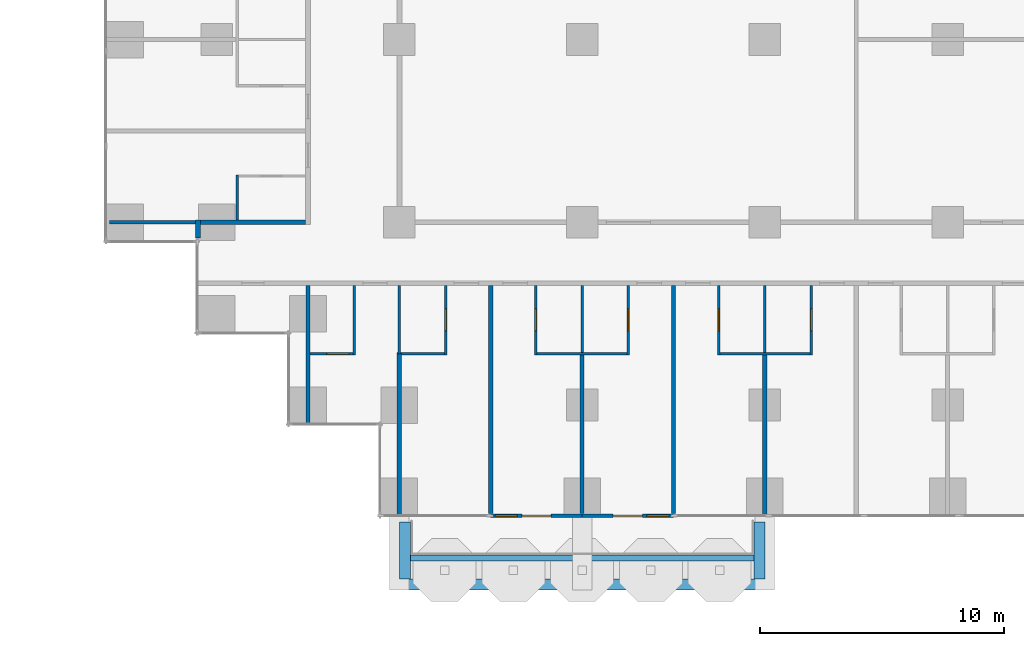
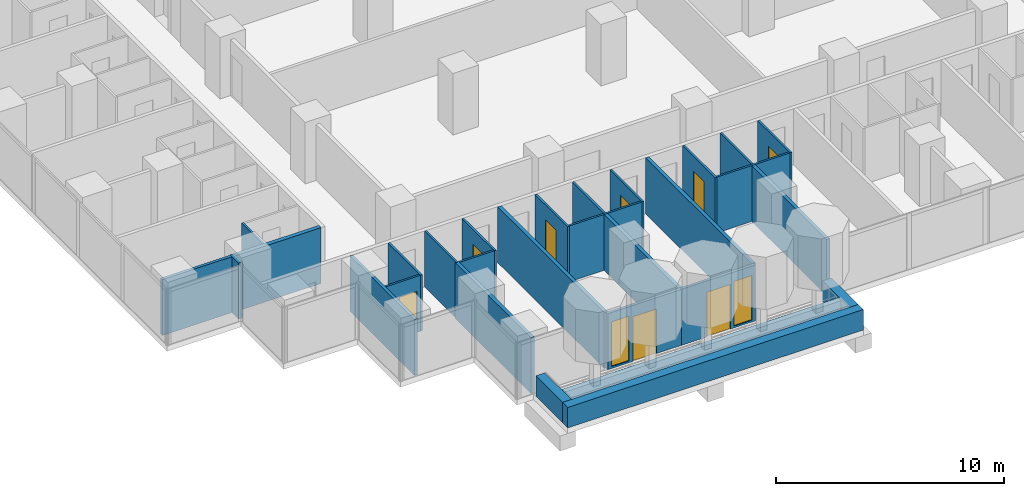
# One storey, part 10 of 19: 29 walls, 8 doors, 2 windows, 10 openings.
"""IFC4 building model written with IfcOpenShell, lengths in metres."""

from ifc_helpers import new_model, si_unit, direction, frame, frame_2d, origin, place, context, subcontext, project, spatial, rectangle, extrude, material, layer, layer_set, type_object, element, fill, save


model = new_model("IFC4")

# Units and contexts
model_context = context("Model", 3, precision=1e-05, world=origin(), true_north=direction((0.0, 1.0)))
body_context = subcontext(model_context, "Body", "Model", "MODEL_VIEW")
ifc_project = project(units=[si_unit("LENGTHUNIT", "METRE"), si_unit("AREAUNIT", "SQUARE_METRE"), si_unit("VOLUMEUNIT", "CUBIC_METRE"), si_unit("PLANEANGLEUNIT", "RADIAN"), si_unit("MASSUNIT", "GRAM", prefix="KILO")], contexts=[model_context])

# Site, building, storey
site_placement = place(None, origin())
site = spatial("IfcSite", under=ifc_project, at=site_placement, CompositionType="ELEMENT")
building_placement = place(site_placement, origin())
building = spatial("IfcBuilding", under=site, at=building_placement, Name="Pilkhan Gate Tower", CompositionType="ELEMENT")
storey_placement = place(building_placement, frame((0.0, 0.0, 62.60009765625)))
storey = spatial("IfcBuildingStorey", under=building, at=storey_placement, Name="L13", CompositionType="ELEMENT", Elevation=62.60009765625)

# Walls
ifc_material_1 = material(Name="Dense blockwork", Category="masonry")
ifc_layer_1 = layer(ifc_material_1, 0.175048828125)
ifc_layer_set_1 = layer_set([ifc_layer_1], Name="Acoustic party wall PW175")
wall_type_1 = type_object("IfcWallType", Name="Acoustic party wall PW175", PredefinedType="PARTITIONING", material=ifc_layer_set_1)
wall_1_placement = place(storey_placement, frame((60.0, 40.485107421875, 0.0), z_axis=(0.0, 0.0, 1.0), x_axis=(0.0, 1.0, 0.0)))
element("IfcWall", 1, at=wall_1_placement, inside=storey, type_object=wall_type_1, Name="Partition L13", PredefinedType="PARTITIONING", context=body_context, shape_type="SweptSolid", body=[
    extrude(rectangle(XDim=6.664794921875, YDim=0.175048828125, at=frame_2d((3.33251953125, 0.0))), origin(), (0.0, 0.0, 1.0), 3.0),
])
wall_2_placement = place(storey_placement, frame((63.75, 40.5400390625, 0.0), z_axis=(0.0, 0.0, 1.0), x_axis=(0.0, 1.0, 0.0)))
element("IfcWall", 2, at=wall_2_placement, inside=storey, type_object=wall_type_1, Name="Partition L13", PredefinedType="PARTITIONING", context=body_context, shape_type="SweptSolid", body=[
    extrude(rectangle(XDim=9.35986328125, YDim=0.175048828125, at=frame_2d((4.679931640625, 0.0))), origin(), (0.0, 0.0, 1.0), 3.0),
])
wall_3_placement = place(storey_placement, frame((67.5, 40.5400390625, 0.0), z_axis=(0.0, 0.0, 1.0), x_axis=(0.0, 1.0, 0.0)))
element("IfcWall", 3, at=wall_3_placement, inside=storey, type_object=wall_type_1, Name="Partition L13", PredefinedType="PARTITIONING", context=body_context, shape_type="SweptSolid", body=[
    extrude(rectangle(XDim=6.510009765625, YDim=0.175048828125, at=frame_2d((3.2548828125, 0.0))), origin(), (0.0, 0.0, 1.0), 3.0),
])
wall_4_placement = place(storey_placement, frame((71.25, 40.5400390625, 0.0), z_axis=(0.0, 0.0, 1.0), x_axis=(0.0, 1.0, 0.0)))
element("IfcWall", 4, at=wall_4_placement, inside=storey, type_object=wall_type_1, Name="Partition L13", PredefinedType="PARTITIONING", context=body_context, shape_type="SweptSolid", body=[
    extrude(rectangle(XDim=9.35986328125, YDim=0.175048828125, at=frame_2d((4.679931640625, 0.0))), origin(), (0.0, 0.0, 1.0), 3.0),
])
wall_5_placement = place(storey_placement, frame((75.0, 40.485107421875, 0.0), z_axis=(0.0, 0.0, 1.0), x_axis=(0.0, 1.0, 0.0)))
element("IfcWall", 5, at=wall_5_placement, inside=storey, type_object=wall_type_1, Name="Partition L13", PredefinedType="PARTITIONING", context=body_context, shape_type="SweptSolid", body=[
    extrude(rectangle(XDim=6.56494140625, YDim=0.175048828125, at=frame_2d((3.282470703125, 0.0))), origin(), (0.0, 0.0, 1.0), 3.0),
])
ifc_material_2 = material(Name="Concrete C40/50", Category="concrete")
ifc_layer_2 = layer(ifc_material_2, 0.25)
ifc_layer_set_2 = layer_set([ifc_layer_2], Name="Balcony planter BP250")
wall_type_2 = type_object("IfcWallType", Name="Balcony planter BP250", PredefinedType="USERDEFINED", material=ifc_layer_set_2)
wall_6_placement = place(storey_placement, frame((60.449951171875, 38.72509765625, 0.0), z_axis=(0.0, 0.0, 1.0), x_axis=(1.0, 0.0, 0.0)))
element("IfcWall", 6, at=wall_6_placement, inside=storey, type_object=wall_type_2, Name="Balcony planter L13 S", ObjectType="BALCONY PLANTER", PredefinedType="USERDEFINED", context=body_context, shape_type="SweptSolid", body=[
    extrude(rectangle(XDim=14.10009765625, YDim=0.25, at=frame_2d((7.050048828125, 0.0))), origin(), (0.0, 0.0, 1.0), 1.0),
])
ifc_material_3 = material(Name="Board-marked Concrete C40/50", Category="concrete")
ifc_layer_3 = layer(ifc_material_3, 0.449951171875)
ifc_layer_set_3 = layer_set([ifc_layer_3], Name="Balcony planter lip BL450")
wall_type_3 = type_object("IfcWallType", Name="Balcony planter lip BL450", PredefinedType="USERDEFINED", material=ifc_layer_set_3)
wall_7_placement = place(storey_placement, frame((60.0, 37.625, 0.0), z_axis=(0.0, 0.0, 1.0), x_axis=(1.0, 0.0, 0.0)))
element("IfcWall", 7, at=wall_7_placement, inside=storey, type_object=wall_type_3, Name="Balcony planter L13 S", ObjectType="BALCONY PLANTER", PredefinedType="USERDEFINED", context=body_context, shape_type="SweptSolid", body=[
    extrude(rectangle(XDim=15.0, YDim=0.449951171875, at=frame_2d((7.5, 0.0))), origin(), (0.0, 0.0, 1.0), 1.099853515625),
])
for number, where, z_axis, x_axis, name in (
    (8, (60.22509765625, 40.199951171875, 0.0), (0.0, 0.0, 1.0), (0.0, -1.0, 0.0), "Balcony planter L13 S"),
    (9, (74.77490234375, 40.199951171875, 0.0), (0.0, 0.0, 1.0), (0.0, -1.0, 0.0), "Balcony planter L13 S"),
):
    element("IfcWall", number, at=place(storey_placement, frame(where, z_axis=z_axis, x_axis=x_axis)), inside=storey, type_object=wall_type_3, Name=name, ObjectType="BALCONY PLANTER", PredefinedType="USERDEFINED", context=body_context, shape_type="SweptSolid", body=[
        extrude(rectangle(XDim=2.349853515625, YDim=0.449951171875, at=frame_2d((1.1748046875, 0.0))), origin(), (0.0, 0.0, 1.0), 1.099853515625),
    ])
ifc_layer_4 = layer(ifc_material_1, 0.199951171875)
ifc_layer_set_4 = layer_set([ifc_layer_4], Name="Corridor wall FW200")
wall_type_4 = type_object("IfcWallType", Name="Corridor wall FW200", PredefinedType="PARTITIONING", material=ifc_layer_set_4)
wall_8_placement = place(storey_placement, frame((51.8349609375, 52.5, 0.0), z_axis=(0.0, 0.0, 1.0), x_axis=(1.0, 0.0, 0.0)))
element("IfcWall", 10, at=wall_8_placement, inside=storey, type_object=wall_type_4, Name="Partition L13", PredefinedType="PARTITIONING", context=body_context, shape_type="SweptSolid", body=[
    extrude(rectangle(XDim=4.31494140625, YDim=0.199951171875, at=frame_2d((2.157470703125, 0.0))), origin(), (0.0, 0.0, 1.0), 3.0),
])
wall_9_placement = place(storey_placement, frame((51.735107421875, 51.85498046875, 0.0), z_axis=(0.0, 0.0, 1.0), x_axis=(0.0, 1.0, 0.0)))
element("IfcWall", 11, at=wall_9_placement, inside=storey, type_object=wall_type_4, Name="Partition L13", PredefinedType="PARTITIONING", context=body_context, shape_type="SweptSolid", body=[
    extrude(rectangle(XDim=0.7451171875, YDim=0.199951171875, at=frame_2d((0.37255859375, 0.0))), origin(), (0.0, 0.0, 1.0), 3.0),
])

# Wall, openings, door, window
ifc_material_4 = material(Name="Pale anodised aluminium, clear laminated glazing", Category="aluminium")
ifc_layer_5 = layer(ifc_material_4, 0.14990234375)
ifc_layer_set_5 = layer_set([ifc_layer_5], Name="Facade infill wall IW150")
wall_type_5 = type_object("IfcWallType", Name="Facade infill wall IW150", PredefinedType="SOLIDWALL", material=ifc_layer_set_5)
wall_10_placement = place(storey_placement, frame((63.75, 40.455078125, 0.0), z_axis=(0.0, 0.0, 1.0), x_axis=(1.0, 0.0, 0.0)))
wall_10 = element("IfcWall", 12, at=wall_10_placement, inside=storey, type_object=wall_type_5, Name="Infill wall L13 S", PredefinedType="SOLIDWALL", context=body_context, shape_type="SweptSolid", body=[
    extrude(rectangle(XDim=3.75, YDim=0.14990234375, at=frame_2d((1.875, 0.0))), origin(), (0.0, 0.0, 1.0), 3.0),
])
opening_1_placement = place(wall_10_placement, frame((0.1875, 0.0, 0.10009765625)))
opening_1 = element("IfcOpeningElement", 13, at=opening_1_placement, cuts=wall_10, Name="Opening W1", PredefinedType="OPENING", context=body_context, shape_type="SweptSolid", body=[
    extrude(rectangle(XDim=0.89990234375, YDim=2.39990234375, at=frame_2d((0.449951171875, 1.199951171875))), frame((0.0, 0.0849609375, 0.0), z_axis=(0.0, -1.0, 0.0), x_axis=(1.0, 0.0, 0.0)), (0.0, 0.0, 1.0), 0.169921875),
])
opening_2_placement = place(wall_10_placement, frame((1.27490234375, 0.0, 0.0)))
opening_2 = element("IfcOpeningElement", 14, at=opening_2_placement, cuts=wall_10, Name="Opening D1", PredefinedType="OPENING", context=body_context, shape_type="SweptSolid", body=[
    extrude(rectangle(XDim=1.199951171875, YDim=2.39990234375, at=frame_2d((0.60009765625, 1.199951171875))), frame((0.0, 0.0849609375, 0.0), z_axis=(0.0, -1.0, 0.0), x_axis=(1.0, 0.0, 0.0)), (0.0, 0.0, 1.0), 0.169921875),
])
ifc_material_5 = material(Name="Pale anodised aluminium, clear glazing", Category="aluminium")
door_type_1 = type_object("IfcDoorType", Name="Balcony door D1 1200x2400", OperationType="SINGLE_SWING_LEFT", PredefinedType="DOOR", material=ifc_material_5)
door_1_placement = place(opening_2_placement, origin())
door_1 = element("IfcDoor", 15, at=door_1_placement, inside=storey, type_object=door_type_1, Name="Balcony door L13", OperationType="SINGLE_SWING_LEFT", OverallHeight=2.39990234375, OverallWidth=1.199951171875, PredefinedType="DOOR", context=body_context, shape_type="SweptSolid", body=[
    extrude(rectangle(XDim=1.199951171875, YDim=2.39990234375, at=frame_2d((0.60009765625, 1.199951171875))), frame((0.0, 0.02490234375, 0.0), z_axis=(0.0, -1.0, 0.0), x_axis=(1.0, 0.0, 0.0)), (0.0, 0.0, 1.0), 0.050048828125),
])
fill(opening_2, door_1)
ifc_material_6 = material(Name="Pale anodised aluminium, clear double glazing", Category="aluminium")
window_type = type_object("IfcWindowType", Name="Window W1 900x2400", PartitioningType="SINGLE_PANEL", PredefinedType="WINDOW", material=ifc_material_6)
window_1_placement = place(opening_1_placement, origin())
window_1 = element("IfcWindow", 16, at=window_1_placement, inside=storey, type_object=window_type, Name="Window L13", OverallHeight=2.39990234375, OverallWidth=0.89990234375, PartitioningType="SINGLE_PANEL", PredefinedType="WINDOW", context=body_context, shape_type="SweptSolid", body=[
    extrude(rectangle(XDim=0.89990234375, YDim=2.39990234375, at=frame_2d((0.449951171875, 1.199951171875))), frame((0.0, 0.030029296875, 0.0), z_axis=(0.0, -1.0, 0.0), x_axis=(1.0, 0.0, 0.0)), (0.0, 0.0, 1.0), 0.06005859375),
])
fill(opening_1, window_1)

wall_11_placement = place(storey_placement, frame((67.5, 40.455078125, 0.0), z_axis=(0.0, 0.0, 1.0), x_axis=(1.0, 0.0, 0.0)))
wall_11 = element("IfcWall", 17, at=wall_11_placement, inside=storey, type_object=wall_type_5, Name="Infill wall L13 S", PredefinedType="SOLIDWALL", context=body_context, shape_type="SweptSolid", body=[
    extrude(rectangle(XDim=3.75, YDim=0.14990234375, at=frame_2d((1.875, 0.0))), origin(), (0.0, 0.0, 1.0), 3.0),
])
opening_3_placement = place(wall_11_placement, frame((1.27490234375, 0.0, 0.0)))
opening_3 = element("IfcOpeningElement", 18, at=opening_3_placement, cuts=wall_11, Name="Opening D1", PredefinedType="OPENING", context=body_context, shape_type="SweptSolid", body=[
    extrude(rectangle(XDim=1.199951171875, YDim=2.39990234375, at=frame_2d((0.60009765625, 1.199951171875))), frame((0.0, 0.0849609375, 0.0), z_axis=(0.0, -1.0, 0.0), x_axis=(1.0, 0.0, 0.0)), (0.0, 0.0, 1.0), 0.169921875),
])
opening_4_placement = place(wall_11_placement, frame((2.66259765625, 0.0, 0.10009765625)))
opening_4 = element("IfcOpeningElement", 19, at=opening_4_placement, cuts=wall_11, Name="Opening W1", PredefinedType="OPENING", context=body_context, shape_type="SweptSolid", body=[
    extrude(rectangle(XDim=0.89990234375, YDim=2.39990234375, at=frame_2d((0.449951171875, 1.199951171875))), frame((0.0, 0.0849609375, 0.0), z_axis=(0.0, -1.0, 0.0), x_axis=(1.0, 0.0, 0.0)), (0.0, 0.0, 1.0), 0.169921875),
])
door_2_placement = place(opening_3_placement, origin())
door_2 = element("IfcDoor", 20, at=door_2_placement, inside=storey, type_object=door_type_1, Name="Balcony door L13", OperationType="SINGLE_SWING_LEFT", OverallHeight=2.39990234375, OverallWidth=1.199951171875, PredefinedType="DOOR", context=body_context, shape_type="SweptSolid", body=[
    extrude(rectangle(XDim=1.199951171875, YDim=2.39990234375, at=frame_2d((0.60009765625, 1.199951171875))), frame((0.0, 0.02490234375, 0.0), z_axis=(0.0, -1.0, 0.0), x_axis=(1.0, 0.0, 0.0)), (0.0, 0.0, 1.0), 0.050048828125),
])
fill(opening_3, door_2)
window_2_placement = place(opening_4_placement, origin())
window_2 = element("IfcWindow", 21, at=window_2_placement, inside=storey, type_object=window_type, Name="Window L13", OverallHeight=2.39990234375, OverallWidth=0.89990234375, PartitioningType="SINGLE_PANEL", PredefinedType="WINDOW", context=body_context, shape_type="SweptSolid", body=[
    extrude(rectangle(XDim=0.89990234375, YDim=2.39990234375, at=frame_2d((0.449951171875, 1.199951171875))), frame((0.0, 0.030029296875, 0.0), z_axis=(0.0, -1.0, 0.0), x_axis=(1.0, 0.0, 0.0)), (0.0, 0.0, 1.0), 0.06005859375),
])
fill(opening_4, window_2)

# Walls
ifc_material_7 = material(Name="Blockwork partition, plastered both sides", Category="masonry")
ifc_layer_6 = layer(ifc_material_7, 0.14990234375)
ifc_layer_set_6 = layer_set([ifc_layer_6], Name="Partition PW150")
wall_type_6 = type_object("IfcWallType", Name="Partition PW150", PredefinedType="PARTITIONING", material=ifc_layer_set_6)
wall_12_placement = place(storey_placement, frame((48.10498046875, 52.5, 0.0), z_axis=(0.0, 0.0, 1.0), x_axis=(1.0, 0.0, 0.0)))
element("IfcWall", 22, at=wall_12_placement, inside=storey, type_object=wall_type_6, Name="Partition L13", PredefinedType="PARTITIONING", context=body_context, shape_type="SweptSolid", body=[
    extrude(rectangle(XDim=3.530029296875, YDim=0.14990234375, at=frame_2d((1.76513671875, 0.0))), origin(), (0.0, 0.0, 1.0), 3.0),
])
wall_13_placement = place(storey_placement, frame((56.25, 44.235107421875, 0.0), z_axis=(0.0, 0.0, 1.0), x_axis=(0.0, 1.0, 0.0)))
element("IfcWall", 23, at=wall_13_placement, inside=storey, type_object=wall_type_6, Name="Partition L13", PredefinedType="PARTITIONING", context=body_context, shape_type="SweptSolid", body=[
    extrude(rectangle(XDim=5.664794921875, YDim=0.14990234375, at=frame_2d((2.83251953125, 0.0))), origin(), (0.0, 0.0, 1.0), 3.0),
])

# Wall, opening, door
ifc_material_8 = material(Name="Moisture resistant board, tiled")
ifc_layer_7 = layer(ifc_material_8, 0.10009765625)
ifc_layer_set_7 = layer_set([ifc_layer_7], Name="Wet wall PW100")
wall_type_7 = type_object("IfcWallType", Name="Wet wall PW100", PredefinedType="PARTITIONING", material=ifc_layer_set_7)
wall_14_placement = place(storey_placement, frame((56.324951171875, 47.10009765625, 0.0), z_axis=(0.0, 0.0, 1.0), x_axis=(1.0, 0.0, 0.0)))
wall_14 = element("IfcWall", 24, at=wall_14_placement, inside=storey, type_object=wall_type_7, Name="Partition L13", PredefinedType="PARTITIONING", context=body_context, shape_type="SweptSolid", body=[
    extrude(rectangle(XDim=1.775146484375, YDim=0.10009765625, at=frame_2d((0.8876953125, 0.0))), origin(), (0.0, 0.0, 1.0), 3.0),
])
opening_5_placement = place(wall_14_placement, frame((0.699951171875, 0.0, 0.0)))
opening_5 = element("IfcOpeningElement", 25, at=opening_5_placement, cuts=wall_14, Name="Opening L13-07", PredefinedType="OPENING", context=body_context, shape_type="SweptSolid", body=[
    extrude(rectangle(XDim=0.89990234375, YDim=2.199951171875, at=frame_2d((0.449951171875, 1.10009765625))), frame((0.0, 0.06005859375, 0.0), z_axis=(0.0, -1.0, 0.0), x_axis=(1.0, 0.0, 0.0)), (0.0, 0.0, 1.0), 0.1201171875),
])
ifc_material_9 = material(Name="Timber flush door", Category="wood")
door_type_2 = type_object("IfcDoorType", Name="Bathroom door D02 900x2200", OperationType="SINGLE_SWING_RIGHT", PredefinedType="DOOR", material=ifc_material_9)
door_3_placement = place(opening_5_placement, origin())
door_3 = element("IfcDoor", 26, at=door_3_placement, inside=storey, type_object=door_type_2, Name="Bathroom door", OperationType="SINGLE_SWING_RIGHT", OverallHeight=2.199951171875, OverallWidth=0.89990234375, PredefinedType="DOOR", context=body_context, shape_type="SweptSolid", body=[
    extrude(rectangle(XDim=0.89990234375, YDim=2.199951171875, at=frame_2d((0.449951171875, 1.10009765625))), frame((0.0, 0.02490234375, 0.0), z_axis=(0.0, -1.0, 0.0), x_axis=(1.0, 0.0, 0.0)), (0.0, 0.0, 1.0), 0.050048828125),
])
fill(opening_5, door_3)

# Walls
wall_15_placement = place(storey_placement, frame((60.087890625, 47.10009765625, 0.0), z_axis=(0.0, 0.0, 1.0), x_axis=(1.0, 0.0, 0.0)))
element("IfcWall", 27, at=wall_15_placement, inside=storey, type_object=wall_type_7, Name="Partition L13", PredefinedType="PARTITIONING", context=body_context, shape_type="SweptSolid", body=[
    extrude(rectangle(XDim=1.76220703125, YDim=0.10009765625, at=frame_2d((0.881103515625, 0.0))), origin(), (0.0, 0.0, 1.0), 3.0),
])
for number, where, z_axis, x_axis, name in (
    (28, (65.64990234375, 47.10009765625, 0.0), (0.0, 0.0, 1.0), (1.0, 0.0, 0.0), "Partition L13"),
    (29, (73.14990234375, 47.10009765625, 0.0), (0.0, 0.0, 1.0), (1.0, 0.0, 0.0), "Partition L13"),
):
    element("IfcWall", number, at=place(storey_placement, frame(where, z_axis=z_axis, x_axis=x_axis)), inside=storey, type_object=wall_type_7, Name=name, PredefinedType="PARTITIONING", context=body_context, shape_type="SweptSolid", body=[
        extrude(rectangle(XDim=3.7001953125, YDim=0.10009765625, at=frame_2d((1.85009765625, 0.0))), origin(), (0.0, 0.0, 1.0), 3.0),
    ])
wall_16_placement = place(storey_placement, frame((53.35009765625, 52.60009765625, 0.0), z_axis=(0.0, 0.0, 1.0), x_axis=(0.0, 1.0, 0.0)))
element("IfcWall", 30, at=wall_16_placement, inside=storey, type_object=wall_type_7, Name="Partition L13", PredefinedType="PARTITIONING", context=body_context, shape_type="SweptSolid", body=[
    extrude(rectangle(XDim=1.849853515625, YDim=0.10009765625, at=frame_2d((0.9248046875, 0.0))), origin(), (0.0, 0.0, 1.0), 3.0),
])
wall_17_placement = place(storey_placement, frame((58.14990234375, 47.050048828125, 0.0), z_axis=(0.0, 0.0, 1.0), x_axis=(0.0, 1.0, 0.0)))
element("IfcWall", 31, at=wall_17_placement, inside=storey, type_object=wall_type_7, Name="Partition L13", PredefinedType="PARTITIONING", context=body_context, shape_type="SweptSolid", body=[
    extrude(rectangle(XDim=2.849853515625, YDim=0.10009765625, at=frame_2d((1.4248046875, 0.0))), origin(), (0.0, 0.0, 1.0), 3.0),
])
wall_18_placement = place(storey_placement, frame((60.0, 47.10009765625, 0.0), z_axis=(0.0, 0.0, 1.0), x_axis=(0.0, 1.0, 0.0)))
element("IfcWall", 32, at=wall_18_placement, inside=storey, type_object=wall_type_7, Name="Partition L13", PredefinedType="PARTITIONING", context=body_context, shape_type="SweptSolid", body=[
    extrude(rectangle(XDim=2.7998046875, YDim=0.10009765625, at=frame_2d((1.39990234375, 0.0))), origin(), (0.0, 0.0, 1.0), 3.0),
])

# Wall, opening, door
wall_19_placement = place(storey_placement, frame((61.89990234375, 47.050048828125, 0.0), z_axis=(0.0, 0.0, 1.0), x_axis=(0.0, 1.0, 0.0)))
wall_19 = element("IfcWall", 33, at=wall_19_placement, inside=storey, type_object=wall_type_7, Name="Partition L13", PredefinedType="PARTITIONING", context=body_context, shape_type="SweptSolid", body=[
    extrude(rectangle(XDim=2.849853515625, YDim=0.10009765625, at=frame_2d((1.4248046875, 0.0))), origin(), (0.0, 0.0, 1.0), 3.0),
])
opening_6_placement = place(wall_19_placement, frame((1.0, 0.0, 0.0)))
opening_6 = element("IfcOpeningElement", 34, at=opening_6_placement, cuts=wall_19, Name="Opening L13-09", PredefinedType="OPENING", context=body_context, shape_type="SweptSolid", body=[
    extrude(rectangle(XDim=0.89990234375, YDim=2.199951171875, at=frame_2d((0.449951171875, 1.10009765625))), frame((0.0, 0.06005859375, 0.0), z_axis=(0.0, -1.0, 0.0), x_axis=(1.0, 0.0, 0.0)), (0.0, 0.0, 1.0), 0.1201171875),
])
door_4_placement = place(opening_6_placement, origin())
door_4 = element("IfcDoor", 35, at=door_4_placement, inside=storey, type_object=door_type_2, Name="Bathroom door", OperationType="SINGLE_SWING_RIGHT", OverallHeight=2.199951171875, OverallWidth=0.89990234375, PredefinedType="DOOR", context=body_context, shape_type="SweptSolid", body=[
    extrude(rectangle(XDim=0.89990234375, YDim=2.199951171875, at=frame_2d((0.449951171875, 1.10009765625))), frame((0.0, 0.02490234375, 0.0), z_axis=(0.0, -1.0, 0.0), x_axis=(1.0, 0.0, 0.0)), (0.0, 0.0, 1.0), 0.050048828125),
])
fill(opening_6, door_4)

wall_20_placement = place(storey_placement, frame((65.60009765625, 47.050048828125, 0.0), z_axis=(0.0, 0.0, 1.0), x_axis=(0.0, 1.0, 0.0)))
wall_20 = element("IfcWall", 36, at=wall_20_placement, inside=storey, type_object=wall_type_7, Name="Partition L13", PredefinedType="PARTITIONING", context=body_context, shape_type="SweptSolid", body=[
    extrude(rectangle(XDim=2.849853515625, YDim=0.10009765625, at=frame_2d((1.4248046875, 0.0))), origin(), (0.0, 0.0, 1.0), 3.0),
])
opening_7_placement = place(wall_20_placement, frame((1.0, 0.0, 0.0)))
opening_7 = element("IfcOpeningElement", 37, at=opening_7_placement, cuts=wall_20, Name="Opening L13-11", PredefinedType="OPENING", context=body_context, shape_type="SweptSolid", body=[
    extrude(rectangle(XDim=0.89990234375, YDim=2.199951171875, at=frame_2d((0.449951171875, 1.10009765625))), frame((0.0, 0.06005859375, 0.0), z_axis=(0.0, -1.0, 0.0), x_axis=(1.0, 0.0, 0.0)), (0.0, 0.0, 1.0), 0.1201171875),
])
door_5_placement = place(opening_7_placement, origin())
door_5 = element("IfcDoor", 38, at=door_5_placement, inside=storey, type_object=door_type_2, Name="Bathroom door", OperationType="SINGLE_SWING_RIGHT", OverallHeight=2.199951171875, OverallWidth=0.89990234375, PredefinedType="DOOR", context=body_context, shape_type="SweptSolid", body=[
    extrude(rectangle(XDim=0.89990234375, YDim=2.199951171875, at=frame_2d((0.449951171875, 1.10009765625))), frame((0.0, 0.02490234375, 0.0), z_axis=(0.0, -1.0, 0.0), x_axis=(1.0, 0.0, 0.0)), (0.0, 0.0, 1.0), 0.050048828125),
])
fill(opening_7, door_5)

# Wall
wall_21_placement = place(storey_placement, frame((67.5, 47.14990234375, 0.0), z_axis=(0.0, 0.0, 1.0), x_axis=(0.0, 1.0, 0.0)))
element("IfcWall", 39, at=wall_21_placement, inside=storey, type_object=wall_type_7, Name="Partition L13", PredefinedType="PARTITIONING", context=body_context, shape_type="SweptSolid", body=[
    extrude(rectangle(XDim=2.75, YDim=0.10009765625, at=frame_2d((1.375, 0.0))), origin(), (0.0, 0.0, 1.0), 3.0),
])

# Wall, opening, door
wall_22_placement = place(storey_placement, frame((69.39990234375, 47.050048828125, 0.0), z_axis=(0.0, 0.0, 1.0), x_axis=(0.0, 1.0, 0.0)))
wall_22 = element("IfcWall", 40, at=wall_22_placement, inside=storey, type_object=wall_type_7, Name="Partition L13", PredefinedType="PARTITIONING", context=body_context, shape_type="SweptSolid", body=[
    extrude(rectangle(XDim=2.849853515625, YDim=0.10009765625, at=frame_2d((1.4248046875, 0.0))), origin(), (0.0, 0.0, 1.0), 3.0),
])
opening_8_placement = place(wall_22_placement, frame((1.0, 0.0, 0.0)))
opening_8 = element("IfcOpeningElement", 41, at=opening_8_placement, cuts=wall_22, Name="Opening L13-13", PredefinedType="OPENING", context=body_context, shape_type="SweptSolid", body=[
    extrude(rectangle(XDim=0.89990234375, YDim=2.199951171875, at=frame_2d((0.449951171875, 1.10009765625))), frame((0.0, 0.06005859375, 0.0), z_axis=(0.0, -1.0, 0.0), x_axis=(1.0, 0.0, 0.0)), (0.0, 0.0, 1.0), 0.1201171875),
])
door_6_placement = place(opening_8_placement, origin())
door_6 = element("IfcDoor", 42, at=door_6_placement, inside=storey, type_object=door_type_2, Name="Bathroom door", OperationType="SINGLE_SWING_RIGHT", OverallHeight=2.199951171875, OverallWidth=0.89990234375, PredefinedType="DOOR", context=body_context, shape_type="SweptSolid", body=[
    extrude(rectangle(XDim=0.89990234375, YDim=2.199951171875, at=frame_2d((0.449951171875, 1.10009765625))), frame((0.0, 0.02490234375, 0.0), z_axis=(0.0, -1.0, 0.0), x_axis=(1.0, 0.0, 0.0)), (0.0, 0.0, 1.0), 0.050048828125),
])
fill(opening_8, door_6)

wall_23_placement = place(storey_placement, frame((73.10009765625, 47.050048828125, 0.0), z_axis=(0.0, 0.0, 1.0), x_axis=(0.0, 1.0, 0.0)))
wall_23 = element("IfcWall", 43, at=wall_23_placement, inside=storey, type_object=wall_type_7, Name="Partition L13", PredefinedType="PARTITIONING", context=body_context, shape_type="SweptSolid", body=[
    extrude(rectangle(XDim=2.849853515625, YDim=0.10009765625, at=frame_2d((1.4248046875, 0.0))), origin(), (0.0, 0.0, 1.0), 3.0),
])
opening_9_placement = place(wall_23_placement, frame((1.0, 0.0, 0.0)))
opening_9 = element("IfcOpeningElement", 44, at=opening_9_placement, cuts=wall_23, Name="Opening L13-15", PredefinedType="OPENING", context=body_context, shape_type="SweptSolid", body=[
    extrude(rectangle(XDim=0.89990234375, YDim=2.199951171875, at=frame_2d((0.449951171875, 1.10009765625))), frame((0.0, 0.06005859375, 0.0), z_axis=(0.0, -1.0, 0.0), x_axis=(1.0, 0.0, 0.0)), (0.0, 0.0, 1.0), 0.1201171875),
])
door_7_placement = place(opening_9_placement, origin())
door_7 = element("IfcDoor", 45, at=door_7_placement, inside=storey, type_object=door_type_2, Name="Bathroom door", OperationType="SINGLE_SWING_RIGHT", OverallHeight=2.199951171875, OverallWidth=0.89990234375, PredefinedType="DOOR", context=body_context, shape_type="SweptSolid", body=[
    extrude(rectangle(XDim=0.89990234375, YDim=2.199951171875, at=frame_2d((0.449951171875, 1.10009765625))), frame((0.0, 0.02490234375, 0.0), z_axis=(0.0, -1.0, 0.0), x_axis=(1.0, 0.0, 0.0)), (0.0, 0.0, 1.0), 0.050048828125),
])
fill(opening_9, door_7)

# Wall
wall_24_placement = place(storey_placement, frame((75.0, 47.14990234375, 0.0), z_axis=(0.0, 0.0, 1.0), x_axis=(0.0, 1.0, 0.0)))
element("IfcWall", 46, at=wall_24_placement, inside=storey, type_object=wall_type_7, Name="Partition L13", PredefinedType="PARTITIONING", context=body_context, shape_type="SweptSolid", body=[
    extrude(rectangle(XDim=2.75, YDim=0.10009765625, at=frame_2d((1.375, 0.0))), origin(), (0.0, 0.0, 1.0), 3.0),
])

# Wall, opening, door
wall_25_placement = place(storey_placement, frame((76.89990234375, 47.050048828125, 0.0), z_axis=(0.0, 0.0, 1.0), x_axis=(0.0, 1.0, 0.0)))
wall_25 = element("IfcWall", 47, at=wall_25_placement, inside=storey, type_object=wall_type_7, Name="Partition L13", PredefinedType="PARTITIONING", context=body_context, shape_type="SweptSolid", body=[
    extrude(rectangle(XDim=2.849853515625, YDim=0.10009765625, at=frame_2d((1.4248046875, 0.0))), origin(), (0.0, 0.0, 1.0), 3.0),
])
opening_10_placement = place(wall_25_placement, frame((1.0, 0.0, 0.0)))
opening_10 = element("IfcOpeningElement", 48, at=opening_10_placement, cuts=wall_25, Name="Opening L13-17", PredefinedType="OPENING", context=body_context, shape_type="SweptSolid", body=[
    extrude(rectangle(XDim=0.89990234375, YDim=2.199951171875, at=frame_2d((0.449951171875, 1.10009765625))), frame((0.0, 0.06005859375, 0.0), z_axis=(0.0, -1.0, 0.0), x_axis=(1.0, 0.0, 0.0)), (0.0, 0.0, 1.0), 0.1201171875),
])
door_8_placement = place(opening_10_placement, origin())
door_8 = element("IfcDoor", 49, at=door_8_placement, inside=storey, type_object=door_type_2, Name="Bathroom door", OperationType="SINGLE_SWING_RIGHT", OverallHeight=2.199951171875, OverallWidth=0.89990234375, PredefinedType="DOOR", context=body_context, shape_type="SweptSolid", body=[
    extrude(rectangle(XDim=0.89990234375, YDim=2.199951171875, at=frame_2d((0.449951171875, 1.10009765625))), frame((0.0, 0.02490234375, 0.0), z_axis=(0.0, -1.0, 0.0), x_axis=(1.0, 0.0, 0.0)), (0.0, 0.0, 1.0), 0.050048828125),
])
fill(opening_10, door_8)

save(model, "model.ifc")
